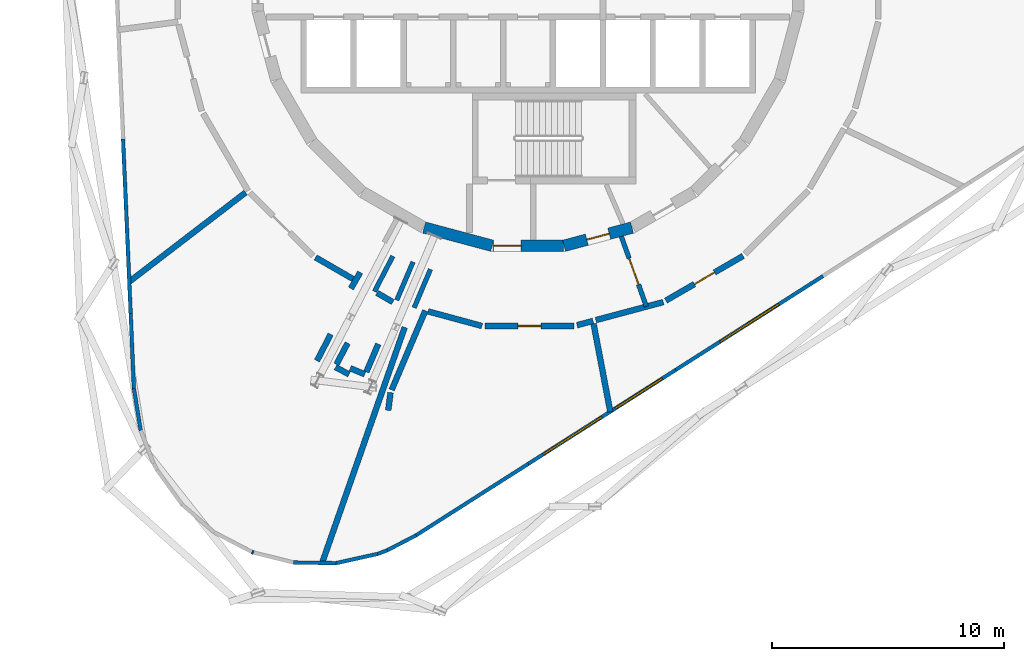
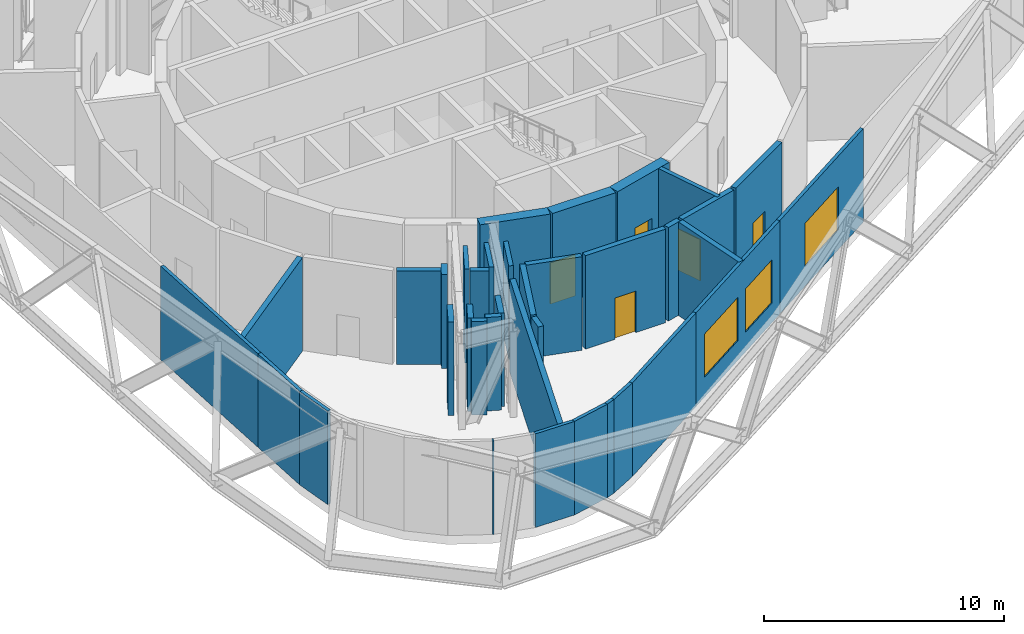
# One storey, part 5 of 12: 36 walls, 5 doors, 3 windows, 8 openings.
"""IFC4 building model written with IfcOpenShell, lengths in metres."""

import ifcopenshell
import ifcopenshell.guid

model = None  # the IFC model being written
_history = None  # IfcOwnerHistory: only IFC2X3 demands one
_inside = {}  # id of a spatial element -> (the spatial element, [elements in it])
_under = {}  # id of a project, library or spatial element -> (it, [spatial elements below it])
_declared = {}  # id of a project -> (the project, [libraries it declares])
_typed = {}  # id of a type object -> (the type object, [elements of that type])
_made_of = {}  # id of a material, layer set ... -> (it, [elements and type objects made of it])


def new_model(schema):
    """Start an empty IFC model of exactly this schema.

    Asked for "IFC4X3", IfcOpenShell would pick the latest addendum, in which some entities
    have other attributes; the version numbers below select the first issue.
    IFC2X3 requires an IfcOwnerHistory on every rooted entity: one is made here for all.
    """
    global model, _history
    if schema == "IFC4X3":
        model = ifcopenshell.file(schema_version=(4, 3, 0, 0))
    else:
        model = ifcopenshell.file(schema=schema)
    _inside.clear()
    _under.clear()
    _declared.clear()
    _typed.clear()
    _made_of.clear()
    _history = None
    if model.schema == "IFC2X3":
        org = make("IfcOrganization", Name="unknown")
        user = make(
            "IfcPersonAndOrganization",
            ThePerson=make("IfcPerson", FamilyName="unknown"),
            TheOrganization=org,
        )
        app = make(
            "IfcApplication",
            ApplicationDeveloper=org,
            Version="unknown",
            ApplicationFullName="unknown",
            ApplicationIdentifier="unknown",
        )
        _history = make(
            "IfcOwnerHistory",
            OwningUser=user,
            OwningApplication=app,
            ChangeAction="ADDED",
            CreationDate=0,
        )
    return model


def make(cls, **values):
    """One entity of the class cls with the attributes given. An attribute that is None is left unset."""
    return model.create_entity(
        cls, **{name: value for name, value in values.items() if value is not None}
    )


def rooted(cls, **values):
    """An entity with a GlobalId (a new one), such as an element, a storey or a relation."""
    return make(cls, GlobalId=ifcopenshell.guid.new(), OwnerHistory=_history, **values)


def si_unit(unit_type, name, prefix=None):
    """IfcSIUnit, for example si_unit("LENGTHUNIT", "METRE", prefix="MILLI")."""
    return make("IfcSIUnit", UnitType=unit_type, Prefix=prefix, Name=name)


def assignment(units):
    """IfcUnitAssignment: the units of a project."""
    return None if units is None else make("IfcUnitAssignment", Units=units)


def point(xyz):
    """IfcCartesianPoint."""
    return None if xyz is None else make("IfcCartesianPoint", Coordinates=xyz)


def direction(xyz):
    """IfcDirection."""
    return None if xyz is None else make("IfcDirection", DirectionRatios=xyz)


def frame(location, z_axis=None, x_axis=None):
    """IfcAxis2Placement3D, a coordinate frame: its origin and axes. An axis left out is left unset."""
    return make(
        "IfcAxis2Placement3D",
        Location=point(location),
        Axis=direction(z_axis),
        RefDirection=direction(x_axis),
    )


def frame_2d(location, x_axis=None):
    """IfcAxis2Placement2D, a coordinate frame in the plane: its origin and x axis."""
    return make(
        "IfcAxis2Placement2D", Location=point(location), RefDirection=direction(x_axis)
    )


def origin():
    """The frame at (0, 0, 0) with its axes left unset."""
    return frame((0.0, 0.0, 0.0))


def place(relative_to, where):
    """IfcLocalPlacement: puts the frame where relative to a parent placement (None: the world)."""
    return make(
        "IfcLocalPlacement", PlacementRelTo=relative_to, RelativePlacement=where
    )


def context(
    kind, dimensions, precision=None, world=None, true_north=None, identifier=None
):
    """IfcGeometricRepresentationContext, for example the 3D "Model" context."""
    return make(
        "IfcGeometricRepresentationContext",
        ContextIdentifier=identifier,
        ContextType=kind,
        CoordinateSpaceDimension=dimensions,
        Precision=precision,
        WorldCoordinateSystem=world,
        TrueNorth=true_north,
    )


def subcontext(parent, identifier, kind, view, scale=None):
    """IfcGeometricRepresentationSubContext, for example "Body" below "Model"."""
    return make(
        "IfcGeometricRepresentationSubContext",
        ContextIdentifier=identifier,
        ContextType=kind,
        ParentContext=parent,
        TargetScale=scale,
        TargetView=view,
    )


def project(units=None, contexts=None):
    """IfcProject with its units and contexts."""
    return rooted(
        "IfcProject",
        Name="project",
        RepresentationContexts=contexts,
        UnitsInContext=assignment(units),
    )


def spatial(cls, under=None, at=None, **own):
    """A site, building, storey or space (cls), placed at a placement, below another one or the project."""
    s = rooted(cls, ObjectPlacement=at, **own)
    if under is not None:
        _under.setdefault(under.id(), (under, []))[1].append(s)
    return s


def profile(cls, at=None, kind="AREA", **sizes):
    """A parametric profile (cls). Its sizes go by their IFC names, for example OverallWidth=200.0."""
    return make(cls, ProfileType=kind, Position=at, **sizes)


def rectangle(**sizes):
    """IfcRectangleProfileDef."""
    return profile("IfcRectangleProfileDef", **sizes)


def extrude(swept, where, along, depth):
    """IfcExtrudedAreaSolid: the profile swept, set in the frame where, extruded along a direction by depth."""
    return make(
        "IfcExtrudedAreaSolid",
        SweptArea=swept,
        Position=where,
        ExtrudedDirection=direction(along),
        Depth=depth,
    )


def shape(context_of_items, identifier, shape_type, items):
    """IfcShapeRepresentation: the items that make up one representation, for example the "Body"."""
    return make(
        "IfcShapeRepresentation",
        ContextOfItems=context_of_items,
        RepresentationIdentifier=identifier,
        RepresentationType=shape_type,
        Items=items,
    )


def material(Name=None, Category=None):
    """IfcMaterial."""
    return make("IfcMaterial", Name=Name, Category=Category)


def layer(
    of_material, thickness, ventilated=None, Name=None, Category=None, Priority=None
):
    """IfcMaterialLayer: one layer of a wall or slab, of a material (None: an air gap)."""
    return make(
        "IfcMaterialLayer",
        Material=of_material,
        LayerThickness=thickness,
        IsVentilated=ventilated,
        Name=Name,
        Category=Category,
        Priority=Priority,
    )


def layer_set(layers, Name=None):
    """IfcMaterialLayerSet."""
    return make("IfcMaterialLayerSet", MaterialLayers=layers, LayerSetName=Name)


def made_of(thing, what):
    """Note that an element or type object is made of a material, layer set ...; save() writes the relation."""
    if what is not None:
        _made_of.setdefault(what.id(), (what, []))[1].append(thing)
    return thing


def type_object(cls, material=None, **own):
    """A type object (cls), such as IfcWallType, which elements share."""
    return made_of(rooted(cls, **own), material)


def element(
    cls,
    number,
    at=None,
    inside=None,
    cuts=None,
    type_object=None,
    material=None,
    context=None,
    identifier="Body",
    shape_type=None,
    held_by="IfcProductDefinitionShape",
    body=None,
    shapes=None,
    **own,
):
    """One element of the class cls, such as IfcWall. Its Tag is "e" and its number.

    at: its placement. inside: the storey or other place that contains it. cuts: it is an
    opening in that element (IfcRelVoidsElement). A single representation is given by context,
    identifier, shape_type and body (its items); several are given by shapes. held_by: the class
    of the entity that holds the representations. save() writes the other relations.
    """
    e = rooted(cls, Tag="e%d" % number, ObjectPlacement=at, **own)
    if body is not None:
        shapes = [shape(context, identifier, shape_type, body)]
    if shapes is not None:
        e.Representation = make(held_by, Representations=shapes)
    if inside is not None:
        _inside.setdefault(inside.id(), (inside, []))[1].append(e)
    if cuts is not None:
        rooted(
            "IfcRelVoidsElement", RelatingBuildingElement=cuts, RelatedOpeningElement=e
        )
    if type_object is not None:
        _typed.setdefault(type_object.id(), (type_object, []))[1].append(e)
    return made_of(e, material)


def fill(opening, filler):
    """IfcRelFillsElement: the door or window that sits in an opening."""
    return rooted(
        "IfcRelFillsElement",
        RelatingOpeningElement=opening,
        RelatedBuildingElement=filler,
    )


def aggregate(whole, parts):
    """IfcRelAggregates: a whole, such as a stair, and the parts it consists of."""
    return rooted("IfcRelAggregates", RelatingObject=whole, RelatedObjects=parts)


def save(model, path):
    """Write the relations noted so far, then the file.

    IfcRelAggregates (storeys below a building ...), IfcRelContainedInSpatialStructure (elements
    in a storey), IfcRelDefinesByType, IfcRelAssociatesMaterial and IfcRelDeclares: one each for
    every whole, place, type object, material and project.
    """
    for whole, parts in _under.values():
        aggregate(whole, parts)
    for where, things in _inside.values():
        rooted(
            "IfcRelContainedInSpatialStructure",
            RelatedElements=things,
            RelatingStructure=where,
        )
    for kind, things in _typed.values():
        rooted("IfcRelDefinesByType", RelatedObjects=things, RelatingType=kind)
    for what, things in _made_of.values():
        rooted("IfcRelAssociatesMaterial", RelatedObjects=things, RelatingMaterial=what)
    for by, libraries in _declared.values():
        rooted("IfcRelDeclares", RelatingContext=by, RelatedDefinitions=libraries)
    model.write(path)


model = new_model("IFC4")

# Units and contexts
model_context = context("Model", 3, precision=1e-05, world=origin(), true_north=direction((0.0, 1.0)))
body_context = subcontext(model_context, "Body", "Model", "MODEL_VIEW")
ifc_project = project(units=[si_unit("LENGTHUNIT", "METRE"), si_unit("AREAUNIT", "SQUARE_METRE"), si_unit("VOLUMEUNIT", "CUBIC_METRE"), si_unit("PLANEANGLEUNIT", "RADIAN"), si_unit("MASSUNIT", "GRAM", prefix="KILO")], contexts=[model_context])

# Site, building, storey
site_placement = place(None, origin())
site = spatial("IfcSite", under=ifc_project, at=site_placement, CompositionType="ELEMENT")
building_placement = place(site_placement, origin())
building = spatial("IfcBuilding", under=site, at=building_placement, Name="Spindle Arch Residences", CompositionType="ELEMENT")
storey_placement = place(building_placement, frame((0.0, 0.0, 258.199951171875)))
storey = spatial("IfcBuildingStorey", under=building, at=storey_placement, Name="L66", CompositionType="ELEMENT", Elevation=258.199951171875)

# Wall, opening, door
ifc_material_1 = material(Name="Concrete C50/60", Category="concrete")
ifc_layer_1 = layer(ifc_material_1, 0.5)
ifc_layer_set_1 = layer_set([ifc_layer_1], Name="Core outline wall 500")
wall_type_1 = type_object("IfcWallType", Name="Core outline wall 500", PredefinedType="SHEAR", material=ifc_layer_set_1)
wall_1_placement = place(storey_placement, frame((1.5498046875, -11.642822265625, 0.0), z_axis=(0.0, 0.0, 1.0), x_axis=(0.965948410781, 0.258734743916, 0.0)))
wall_1 = element("IfcWall", 1, at=wall_1_placement, inside=storey, type_object=wall_type_1, Name="Core outline wall 1", PredefinedType="SHEAR", context=body_context, shape_type="SweptSolid", body=[
    extrude(rectangle(XDim=3.03271484375, YDim=0.5, at=frame_2d((1.516357421875, 0.0))), origin(), (0.0, 0.0, 1.0), 4.75),
])
opening_1_placement = place(wall_1_placement, frame((1.016357421875, 0.0, 0.0)))
opening_1 = element("IfcOpeningElement", 2, at=opening_1_placement, cuts=wall_1, Name="Opening L66-PD06", PredefinedType="OPENING", context=body_context, shape_type="SweptSolid", body=[
    extrude(rectangle(XDim=1.0, YDim=2.39990234375, at=frame_2d((0.5, 1.199951171875))), frame((0.0, 0.260009765625, 0.0), z_axis=(0.0, -1.0, 0.0), x_axis=(1.0, 0.0, 0.0)), (0.0, 0.0, 1.0), 0.52001953125),
])
ifc_material_2 = material(Name="Steel, fire-resisting door", Category="steel")
door_type_1 = type_object("IfcDoorType", Name="Plant room door 1000x2400", OperationType="SINGLE_SWING_LEFT", PredefinedType="DOOR", material=ifc_material_2)
door_1_placement = place(opening_1_placement, origin())
door_1 = element("IfcDoor", 3, at=door_1_placement, inside=storey, type_object=door_type_1, Name="Plant room door L66-PD06", OperationType="SINGLE_SWING_RIGHT", OverallHeight=2.39990234375, OverallWidth=1.0, PredefinedType="DOOR", context=body_context, shape_type="SweptSolid", body=[
    extrude(rectangle(XDim=1.0, YDim=2.39990234375, at=frame_2d((0.5, 1.199951171875))), frame((0.0, 0.02490234375, 0.0), z_axis=(0.0, -1.0, 0.0), x_axis=(1.0, 0.0, 0.0)), (0.0, 0.0, 1.0), 0.050048828125),
])
fill(opening_1, door_1)

# Wall
wall_2_placement = place(storey_placement, frame((-4.479248046875, -10.858154296875, 0.0), z_axis=(0.0, 0.0, 1.0), x_axis=(0.965948410781, -0.258734743916, 0.0)))
element("IfcWall", 4, at=wall_2_placement, inside=storey, type_object=wall_type_1, Name="Core outline wall 23", PredefinedType="SHEAR", context=body_context, shape_type="SweptSolid", body=[
    extrude(rectangle(XDim=3.03271484375, YDim=0.5, at=frame_2d((1.516357421875, 0.0))), origin(), (0.0, 0.0, 1.0), 4.75),
])

# Wall, opening, door
wall_3_placement = place(storey_placement, frame((-1.516357421875, -11.647216796875, 0.0), z_axis=(0.0, 0.0, 1.0), x_axis=(1.0, 0.0, 0.0)))
wall_3 = element("IfcWall", 5, at=wall_3_placement, inside=storey, type_object=wall_type_1, Name="Core outline wall 24", PredefinedType="SHEAR", context=body_context, shape_type="SweptSolid", body=[
    extrude(rectangle(XDim=3.03271484375, YDim=0.5, at=frame_2d((1.516357421875, 0.0))), origin(), (0.0, 0.0, 1.0), 4.75),
])
opening_2_placement = place(wall_3_placement, frame((0.016357421875, 0.0, 0.0)))
opening_2 = element("IfcOpeningElement", 6, at=opening_2_placement, cuts=wall_3, Name="Opening L66-AD03", PredefinedType="OPENING", context=body_context, shape_type="SweptSolid", body=[
    extrude(rectangle(XDim=1.199951171875, YDim=2.10009765625, at=frame_2d((0.60009765625, 1.050048828125))), frame((0.0, 0.260009765625, 0.0), z_axis=(0.0, -1.0, 0.0), x_axis=(1.0, 0.0, 0.0)), (0.0, 0.0, 1.0), 0.52001953125),
])
ifc_material_3 = material(Name="Steel, fire-resisting door", Category="steel")
door_type_2 = type_object("IfcDoorType", Name="Stair airlock door 1200x2100", OperationType="SINGLE_SWING_LEFT", PredefinedType="DOOR", material=ifc_material_3)
door_2_placement = place(opening_2_placement, origin())
door_2 = element("IfcDoor", 7, at=door_2_placement, inside=storey, type_object=door_type_2, Name="Stair airlock door L66-AD03", OperationType="SINGLE_SWING_RIGHT", OverallHeight=2.10009765625, OverallWidth=1.199951171875, PredefinedType="DOOR", context=body_context, shape_type="SweptSolid", body=[
    extrude(rectangle(XDim=1.199951171875, YDim=2.10009765625, at=frame_2d((0.60009765625, 1.050048828125))), frame((0.0, 0.02490234375, 0.0), z_axis=(0.0, -1.0, 0.0), x_axis=(1.0, 0.0, 0.0)), (0.0, 0.0, 1.0), 0.050048828125),
])
fill(opening_2, door_2)

# Walls
ifc_material_4 = material(Name="Non-combustible mineral wool insulated aluminium faced external wall (K0)", Category="aluminium")
ifc_layer_2 = layer(ifc_material_4, 0.159912109375)
ifc_layer_set_2 = layer_set([ifc_layer_2], Name="Insulated external wall panel 160")
wall_type_2 = type_object("IfcWallType", Name="Insulated external wall panel 160", PredefinedType="STANDARD", material=ifc_layer_set_2)
wall_4_placement = place(storey_placement, frame((-17.463623046875, -7.04345703125, 0.0), z_axis=(0.0, 0.0, 1.0), x_axis=(0.043607469261, -0.999048741866, 0.0)))
element("IfcWall", 8, at=wall_4_placement, inside=storey, type_object=wall_type_2, Name="Plant wall L66 bay 16", PredefinedType="STANDARD", context=body_context, shape_type="SweptSolid", body=[
    extrude(rectangle(XDim=7.530029296875, YDim=0.159912109375, at=frame_2d((3.76513671875, 0.0))), origin(), (0.0, 0.0, 1.0), 4.75),
])
wall_5_placement = place(storey_placement, frame((-17.13525390625, -14.56640625, 0.0), z_axis=(0.0, 0.0, 1.0), x_axis=(0.043601186165, -0.999049016097, 0.0)))
element("IfcWall", 9, at=wall_5_placement, inside=storey, type_object=wall_type_2, Name="Plant wall L66 bay 17.1", PredefinedType="STANDARD", context=body_context, shape_type="SweptSolid", body=[
    extrude(rectangle(XDim=3.23095703125, YDim=0.159912109375, at=frame_2d((1.615478515625, 0.0))), origin(), (0.0, 0.0, 1.0), 4.75),
])
wall_6_placement = place(storey_placement, frame((-16.994873046875, -17.78955078125, 0.0), z_axis=(0.0, 0.0, 1.0), x_axis=(0.159398794206, -0.987214274819, 0.0)))
element("IfcWall", 10, at=wall_6_placement, inside=storey, type_object=wall_type_2, Name="Plant wall L66 bay 17.2", PredefinedType="STANDARD", context=body_context, shape_type="SweptSolid", body=[
    extrude(rectangle(XDim=1.845703125, YDim=0.159912109375, at=frame_2d((0.9228515625, 0.0))), origin(), (0.0, 0.0, 1.0), 4.75),
])
wall_7_placement = place(storey_placement, frame((-11.90087890625, -24.84765625, 0.0), z_axis=(0.0, 0.0, 1.0), x_axis=(0.935554876833, -0.353181359126, 0.0)))
element("IfcWall", 11, at=wall_7_placement, inside=storey, type_object=wall_type_2, Name="Plant wall L66 bay 18.5", PredefinedType="STANDARD", context=body_context, shape_type="SweptSolid", body=[
    extrude(rectangle(XDim=0.06494140625, YDim=0.159912109375, at=frame_2d((0.032470703125, 0.0))), origin(), (0.0, 0.0, 1.0), 4.75),
])
wall_8_placement = place(storey_placement, frame((-10.120361328125, -25.298583984375, 0.0), z_axis=(0.0, 0.0, 1.0), x_axis=(0.999894413213, -0.014531428914, 0.0)))
element("IfcWall", 12, at=wall_8_placement, inside=storey, type_object=wall_type_2, Name="Plant wall L66 bay 19.2", PredefinedType="STANDARD", context=body_context, shape_type="SweptSolid", body=[
    extrude(rectangle(XDim=1.84814453125, YDim=0.159912109375, at=frame_2d((0.924072265625, 0.0))), origin(), (0.0, 0.0, 1.0), 4.75),
])
wall_9_placement = place(storey_placement, frame((-8.281494140625, -25.326416015625, 0.0), z_axis=(0.0, 0.0, 1.0), x_axis=(0.976289627281, 0.216468389524, 0.0)))
element("IfcWall", 13, at=wall_9_placement, inside=storey, type_object=wall_type_2, Name="Plant wall L66 bay 19.3", PredefinedType="STANDARD", context=body_context, shape_type="SweptSolid", body=[
    extrude(rectangle(XDim=1.84619140625, YDim=0.159912109375, at=frame_2d((0.923095703125, 0.0))), origin(), (0.0, 0.0, 1.0), 4.75),
])
wall_10_placement = place(storey_placement, frame((-6.484375, -24.92822265625, 0.0), z_axis=(0.0, 0.0, 1.0), x_axis=(0.93530111793, 0.353852820815, 0.0)))
element("IfcWall", 14, at=wall_10_placement, inside=storey, type_object=wall_type_2, Name="Plant wall L66 bay 19.4", PredefinedType="STANDARD", context=body_context, shape_type="SweptSolid", body=[
    extrude(rectangle(XDim=0.44091796875, YDim=0.159912109375, at=frame_2d((0.220458984375, 0.0))), origin(), (0.0, 0.0, 1.0), 4.75),
])
wall_11_placement = place(storey_placement, frame((-6.072021484375, -24.772216796875, 0.0), z_axis=(0.0, 0.0, 1.0), x_axis=(0.887654565079, 0.460509905533, 0.0)))
element("IfcWall", 15, at=wall_11_placement, inside=storey, type_object=wall_type_2, Name="Plant wall L66 bay 20.1", PredefinedType="STANDARD", context=body_context, shape_type="SweptSolid", body=[
    extrude(rectangle(XDim=1.40478515625, YDim=0.159912109375, at=frame_2d((0.702392578125, 0.0))), origin(), (0.0, 0.0, 1.0), 4.75),
])
wall_12_placement = place(storey_placement, frame((-4.828125, -24.126953125, 0.0), z_axis=(0.0, 0.0, 1.0), x_axis=(0.843393436183, 0.537296484079, 0.0)))
element("IfcWall", 16, at=wall_12_placement, inside=storey, type_object=wall_type_2, Name="Plant wall L66 bay 20.2", PredefinedType="STANDARD", context=body_context, shape_type="SweptSolid", body=[
    extrude(rectangle(XDim=5.740234375, YDim=0.159912109375, at=frame_2d((2.8701171875, 0.0))), origin(), (0.0, 0.0, 1.0), 4.75),
])

# Wall, openings, windows
wall_13_placement = place(storey_placement, frame((0.01318359375, -21.042724609375, 0.0), z_axis=(0.0, 0.0, 1.0), x_axis=(0.843393042763, 0.537297101629, 0.0)))
wall_13 = element("IfcWall", 17, at=wall_13_placement, inside=storey, type_object=wall_type_2, Name="Plant wall L66 bay 21", PredefinedType="STANDARD", context=body_context, shape_type="SweptSolid", body=[
    extrude(rectangle(XDim=7.530029296875, YDim=0.159912109375, at=frame_2d((3.76513671875, 0.0))), origin(), (0.0, 0.0, 1.0), 4.75),
])
opening_3_placement = place(wall_13_placement, frame((0.754638671875, 0.0, 1.0)))
opening_3 = element("IfcOpeningElement", 18, at=opening_3_placement, cuts=wall_13, Name="Opening LW1", PredefinedType="OPENING", context=body_context, shape_type="SweptSolid", body=[
    extrude(rectangle(XDim=3.0, YDim=2.199951171875, at=frame_2d((1.5, 1.10009765625))), frame((0.0, 0.08984375, 0.0), z_axis=(0.0, -1.0, 0.0), x_axis=(1.0, 0.0, 0.0)), (0.0, 0.0, 1.0), 0.179931640625),
])
opening_4_placement = place(wall_13_placement, frame((4.444580078125, 0.0, 1.0)))
opening_4 = element("IfcOpeningElement", 19, at=opening_4_placement, cuts=wall_13, Name="Opening LW2", PredefinedType="OPENING", context=body_context, shape_type="SweptSolid", body=[
    extrude(rectangle(XDim=2.39990234375, YDim=2.199951171875, at=frame_2d((1.199951171875, 1.10009765625))), frame((0.0, 0.08984375, 0.0), z_axis=(0.0, -1.0, 0.0), x_axis=(1.0, 0.0, 0.0)), (0.0, 0.0, 1.0), 0.179931640625),
])
ifc_material_5 = material(Name="Bronze anodised aluminium fixed louvre", Category="aluminium")
window_type_1 = type_object("IfcWindowType", Name="Plant louvre opening 2400x2200", PartitioningType="SINGLE_PANEL", PredefinedType="WINDOW", material=ifc_material_5)
window_1_placement = place(opening_4_placement, origin())
window_1 = element("IfcWindow", 20, at=window_1_placement, inside=storey, type_object=window_type_1, Name="Louvre opening L66 bay 21.2", OverallHeight=2.199951171875, OverallWidth=2.39990234375, PartitioningType="SINGLE_PANEL", PredefinedType="WINDOW", context=body_context, shape_type="SweptSolid", body=[
    extrude(rectangle(XDim=2.39990234375, YDim=2.199951171875, at=frame_2d((1.199951171875, 1.10009765625))), frame((0.0, 0.030029296875, 0.0), z_axis=(0.0, -1.0, 0.0), x_axis=(1.0, 0.0, 0.0)), (0.0, 0.0, 1.0), 0.06005859375),
])
fill(opening_4, window_1)
ifc_material_6 = material(Name="Bronze anodised aluminium fixed louvre", Category="aluminium")
window_type_2 = type_object("IfcWindowType", Name="Plant louvre opening 3000x2200", PartitioningType="SINGLE_PANEL", PredefinedType="WINDOW", material=ifc_material_6)
window_2_placement = place(opening_3_placement, origin())
window_2 = element("IfcWindow", 21, at=window_2_placement, inside=storey, type_object=window_type_2, Name="Louvre opening L66 bay 21.1", OverallHeight=2.199951171875, OverallWidth=3.0, PartitioningType="SINGLE_PANEL", PredefinedType="WINDOW", context=body_context, shape_type="SweptSolid", body=[
    extrude(rectangle(XDim=3.0, YDim=2.199951171875, at=frame_2d((1.5, 1.10009765625))), frame((0.0, 0.030029296875, 0.0), z_axis=(0.0, -1.0, 0.0), x_axis=(1.0, 0.0, 0.0)), (0.0, 0.0, 1.0), 0.06005859375),
])
fill(opening_3, window_2)

# Wall, opening, window
wall_14_placement = place(storey_placement, frame((6.364013671875, -16.996826171875, 0.0), z_axis=(0.0, 0.0, 1.0), x_axis=(0.843393042763, 0.537297101629, 0.0)))
wall_14 = element("IfcWall", 22, at=wall_14_placement, inside=storey, type_object=wall_type_2, Name="Plant wall L66 bay 22", PredefinedType="STANDARD", context=body_context, shape_type="SweptSolid", body=[
    extrude(rectangle(XDim=7.530029296875, YDim=0.159912109375, at=frame_2d((3.76513671875, 0.0))), origin(), (0.0, 0.0, 1.0), 4.75),
])
opening_5_placement = place(wall_14_placement, frame((2.264892578125, 0.0, 1.0)))
opening_5 = element("IfcOpeningElement", 23, at=opening_5_placement, cuts=wall_14, Name="Opening LW1", PredefinedType="OPENING", context=body_context, shape_type="SweptSolid", body=[
    extrude(rectangle(XDim=3.0, YDim=2.199951171875, at=frame_2d((1.5, 1.10009765625))), frame((0.0, 0.08984375, 0.0), z_axis=(0.0, -1.0, 0.0), x_axis=(1.0, 0.0, 0.0)), (0.0, 0.0, 1.0), 0.179931640625),
])
window_3_placement = place(opening_5_placement, origin())
window_3 = element("IfcWindow", 24, at=window_3_placement, inside=storey, type_object=window_type_2, Name="Louvre opening L66 bay 22.1", OverallHeight=2.199951171875, OverallWidth=3.0, PartitioningType="SINGLE_PANEL", PredefinedType="WINDOW", context=body_context, shape_type="SweptSolid", body=[
    extrude(rectangle(XDim=3.0, YDim=2.199951171875, at=frame_2d((1.5, 1.10009765625))), frame((0.0, 0.030029296875, 0.0), z_axis=(0.0, -1.0, 0.0), x_axis=(1.0, 0.0, 0.0)), (0.0, 0.0, 1.0), 0.06005859375),
])
fill(opening_5, window_3)

# Walls
ifc_material_7 = material(Name="Concrete C25/30 wall", Category="concrete")
ifc_layer_3 = layer(ifc_material_7, 0.25)
ifc_layer_set_3 = layer_set([ifc_layer_3], Name="Partition EI 120 250 plant")
wall_type_3 = type_object("IfcWallType", Name="Partition EI 120 250 plant", PredefinedType="PARTITIONING", material=ifc_layer_set_3)
wall_15_placement = place(storey_placement, frame((-12.17919921875, -9.345947265625, 0.0), z_axis=(0.0, 0.0, 1.0), x_axis=(-0.793517039505, -0.608548032628, 0.0)))
element("IfcWall", 25, at=wall_15_placement, inside=storey, type_object=wall_type_3, Name="L66-W010", PredefinedType="PARTITIONING", context=body_context, shape_type="SweptSolid", body=[
    extrude(rectangle(XDim=6.33544921875, YDim=0.25, at=frame_2d((3.167724609375, 0.0))), origin(), (0.0, 0.0, 1.0), 4.75),
])
wall_16_placement = place(storey_placement, frame((-9.161865234375, -12.142578125, 0.0), z_axis=(0.0, 0.0, 1.0), x_axis=(0.866067878235, -0.499926424876, 0.0)))
element("IfcWall", 26, at=wall_16_placement, inside=storey, type_object=wall_type_3, Name="L66-W019", PredefinedType="PARTITIONING", context=body_context, shape_type="SweptSolid", body=[
    extrude(rectangle(XDim=1.864990234375, YDim=0.25, at=frame_2d((0.9326171875, 0.0))), origin(), (0.0, 0.0, 1.0), 4.75),
])
wall_17_placement = place(storey_placement, frame((-8.510009765625, -15.4599609375, 0.0), z_axis=(0.0, 0.0, 1.0), x_axis=(-0.461191515673, -0.887300617531, 0.0)))
element("IfcWall", 27, at=wall_17_placement, inside=storey, type_object=wall_type_3, Name="L66-W022", PredefinedType="PARTITIONING", context=body_context, shape_type="SweptSolid", body=[
    extrude(rectangle(XDim=1.287353515625, YDim=0.25, at=frame_2d((0.6435546875, 0.0))), origin(), (0.0, 0.0, 1.0), 4.75),
])
wall_18_placement = place(storey_placement, frame((-8.262939453125, -16.75537109375, 0.0), z_axis=(0.0, 0.0, 1.0), x_axis=(0.466640728882, 0.884446962881, 0.0)))
element("IfcWall", 28, at=wall_18_placement, inside=storey, type_object=wall_type_3, Name="L66-W023", PredefinedType="PARTITIONING", context=body_context, shape_type="SweptSolid", body=[
    extrude(rectangle(XDim=1.034912109375, YDim=0.25, at=frame_2d((0.517578125, 0.0))), origin(), (0.0, 0.0, 1.0), 4.75),
])
wall_19_placement = place(storey_placement, frame((-6.511962890625, -13.6728515625, 0.0), z_axis=(0.0, 0.0, 1.0), x_axis=(0.864081706907, -0.503351570762, 0.0)))
element("IfcWall", 29, at=wall_19_placement, inside=storey, type_object=wall_type_3, Name="L66-W027", PredefinedType="PARTITIONING", context=body_context, shape_type="SweptSolid", body=[
    extrude(rectangle(XDim=0.7890625, YDim=0.25, at=frame_2d((0.39453125, 0.0))), origin(), (0.0, 0.0, 1.0), 4.75),
])
wall_20_placement = place(storey_placement, frame((-6.4599609375, -15.8798828125, 0.0), z_axis=(0.0, 0.0, 1.0), x_axis=(-0.39236059396, -0.919811483027, 0.0)))
element("IfcWall", 30, at=wall_20_placement, inside=storey, type_object=wall_type_3, Name="L66-W029", PredefinedType="PARTITIONING", context=body_context, shape_type="SweptSolid", body=[
    extrude(rectangle(XDim=1.304931640625, YDim=0.25, at=frame_2d((0.65234375, 0.0))), origin(), (0.0, 0.0, 1.0), 4.75),
])
wall_21_placement = place(storey_placement, frame((2.920654296875, -14.84765625, 0.0), z_axis=(0.0, 0.0, 1.0), x_axis=(0.966090816863, 0.258202504969, 0.0)))
element("IfcWall", 31, at=wall_21_placement, inside=storey, type_object=wall_type_3, Name="L66-W046", PredefinedType="PARTITIONING", context=body_context, shape_type="SweptSolid", body=[
    extrude(rectangle(XDim=3.011474609375, YDim=0.25, at=frame_2d((1.505859375, 0.0))), origin(), (0.0, 0.0, 1.0), 4.75),
])

# Wall, opening, door
wall_22_placement = place(storey_placement, frame((5.938232421875, -14.00732421875, 0.0), z_axis=(0.0, 0.0, 1.0), x_axis=(0.865615852585, 0.500708693508, 0.0)))
wall_22 = element("IfcWall", 32, at=wall_22_placement, inside=storey, type_object=wall_type_3, Name="L66-W049", PredefinedType="PARTITIONING", context=body_context, shape_type="SweptSolid", body=[
    extrude(rectangle(XDim=3.84912109375, YDim=0.25, at=frame_2d((1.924560546875, 0.0))), origin(), (0.0, 0.0, 1.0), 4.75),
])
opening_6_placement = place(wall_22_placement, frame((1.424560546875, 0.0, 0.0)))
opening_6 = element("IfcOpeningElement", 33, at=opening_6_placement, cuts=wall_22, Name="Opening L66-D03", PredefinedType="OPENING", context=body_context, shape_type="SweptSolid", body=[
    extrude(rectangle(XDim=1.0, YDim=2.10009765625, at=frame_2d((0.5, 1.050048828125))), frame((0.0, 0.135009765625, 0.0), z_axis=(0.0, -1.0, 0.0), x_axis=(1.0, 0.0, 0.0)), (0.0, 0.0, 1.0), 0.27001953125),
])
ifc_material_8 = material(Name="Steel door leaf, painted", Category="steel")
door_type_3 = type_object("IfcDoorType", Name="Door 1000x2100 EI 60", OperationType="SINGLE_SWING_LEFT", PredefinedType="DOOR", material=ifc_material_8)
door_3_placement = place(opening_6_placement, origin())
door_3 = element("IfcDoor", 34, at=door_3_placement, inside=storey, type_object=door_type_3, Name="L66-D03", OperationType="SINGLE_SWING_LEFT", OverallHeight=2.10009765625, OverallWidth=1.0, PredefinedType="DOOR", context=body_context, shape_type="SweptSolid", body=[
    extrude(rectangle(XDim=1.0, YDim=2.10009765625, at=frame_2d((0.5, 1.050048828125))), frame((0.0, 0.02490234375, 0.0), z_axis=(0.0, -1.0, 0.0), x_axis=(1.0, 0.0, 0.0)), (0.0, 0.0, 1.0), 0.050048828125),
])
fill(opening_6, door_3)

# Walls
wall_23_placement = place(storey_placement, frame((-7.63818359375, -13.48388671875, 0.0), z_axis=(0.0, 0.0, 1.0), x_axis=(0.499880961361, 0.866094119867, 0.0)))
element("IfcWall", 35, at=wall_23_placement, inside=storey, type_object=wall_type_3, Name="L66-W072", PredefinedType="PARTITIONING", context=body_context, shape_type="SweptSolid", body=[
    extrude(rectangle(XDim=0.800048828125, YDim=0.25, at=frame_2d((0.39990234375, 0.0))), origin(), (0.0, 0.0, 1.0), 4.75),
])
wall_24_placement = place(storey_placement, frame((-8.30078125, -16.876953125, 0.0), z_axis=(0.0, 0.0, 1.0), x_axis=(0.884571883789, -0.466403883357, 0.0)))
element("IfcWall", 36, at=wall_24_placement, inside=storey, type_object=wall_type_3, Name="L66-W073", PredefinedType="PARTITIONING", context=body_context, shape_type="SweptSolid", body=[
    extrude(rectangle(XDim=0.657958984375, YDim=0.25, at=frame_2d((0.3291015625, 0.0))), origin(), (0.0, 0.0, 1.0), 4.75),
])
wall_25_placement = place(storey_placement, frame((-7.664794921875, -16.92041015625, 0.0), z_axis=(0.0, 0.0, 1.0), x_axis=(0.919833690765, -0.392308528245, 0.0)))
element("IfcWall", 37, at=wall_25_placement, inside=storey, type_object=wall_type_3, Name="L66-W075", PredefinedType="PARTITIONING", context=body_context, shape_type="SweptSolid", body=[
    extrude(rectangle(XDim=0.677001953125, YDim=0.25, at=frame_2d((0.33837890625, 0.0))), origin(), (0.0, 0.0, 1.0), 4.75),
])
ifc_material_9 = material(Name="Gypsum board partition on steel studs", Category="steel")
ifc_layer_4 = layer(ifc_material_9, 0.199951171875)
ifc_layer_set_4 = layer_set([ifc_layer_4], Name="Partition EI 60 200 amenity")
wall_type_4 = type_object("IfcWallType", Name="Partition EI 60 200 amenity", PredefinedType="PARTITIONING", material=ifc_layer_set_4)
wall_26_placement = place(storey_placement, frame((-6.6201171875, -13.610107421875, 0.0), z_axis=(0.0, 0.0, 1.0), x_axis=(0.461182211336, 0.887305453577, 0.0)))
element("IfcWall", 38, at=wall_26_placement, inside=storey, type_object=wall_type_4, Name="L66-W028", PredefinedType="PARTITIONING", context=body_context, shape_type="SweptSolid", body=[
    extrude(rectangle(XDim=1.713134765625, YDim=0.199951171875, at=frame_2d((0.8564453125, 0.0))), origin(), (0.0, 0.0, 1.0), 4.75),
])
wall_27_placement = place(storey_placement, frame((-4.9599609375, -12.340087890625, 0.0), z_axis=(0.0, 0.0, 1.0), x_axis=(-0.391990471088, -0.919969276974, 0.0)))
element("IfcWall", 39, at=wall_27_placement, inside=storey, type_object=wall_type_4, Name="L66-W036", PredefinedType="PARTITIONING", context=body_context, shape_type="SweptSolid", body=[
    extrude(rectangle(XDim=1.7880859375, YDim=0.199951171875, at=frame_2d((0.89404296875, 0.0))), origin(), (0.0, 0.0, 1.0), 4.75),
])
wall_28_placement = place(storey_placement, frame((-4.909912109375, -14.31005859375, 0.0), z_axis=(0.0, 0.0, 1.0), x_axis=(0.390497378465, 0.920604039429, 0.0)))
element("IfcWall", 40, at=wall_28_placement, inside=storey, type_object=wall_type_4, Name="L66-W037", PredefinedType="PARTITIONING", context=body_context, shape_type="SweptSolid", body=[
    extrude(rectangle(XDim=1.79248046875, YDim=0.199951171875, at=frame_2d((0.896240234375, 0.0))), origin(), (0.0, 0.0, 1.0), 4.75),
])

# Wall, opening, door
wall_29_placement = place(storey_placement, frame((4.02001953125, -11.239990234375, 0.0), z_axis=(0.0, 0.0, 1.0), x_axis=(0.336751058688, -0.941593715183, 0.0)))
wall_29 = element("IfcWall", 41, at=wall_29_placement, inside=storey, type_object=wall_type_4, Name="L66-W047", PredefinedType="PARTITIONING", context=body_context, shape_type="SweptSolid", body=[
    extrude(rectangle(XDim=3.207275390625, YDim=0.199951171875, at=frame_2d((1.603515625, 0.0))), origin(), (0.0, 0.0, 1.0), 4.75),
])
opening_7_placement = place(wall_29_placement, frame((1.003662109375, 0.0, 0.0)))
opening_7 = element("IfcOpeningElement", 42, at=opening_7_placement, cuts=wall_29, Name="Opening L66-D11", PredefinedType="OPENING", context=body_context, shape_type="SweptSolid", body=[
    extrude(rectangle(XDim=1.199951171875, YDim=2.10009765625, at=frame_2d((0.60009765625, 1.050048828125))), frame((0.0, 0.10986328125, 0.0), z_axis=(0.0, -1.0, 0.0), x_axis=(1.0, 0.0, 0.0)), (0.0, 0.0, 1.0), 0.219970703125),
])
ifc_material_10 = material(Name="Steel door leaf, painted", Category="steel")
door_type_4 = type_object("IfcDoorType", Name="Door 1200x2100 EI 60", OperationType="SINGLE_SWING_LEFT", PredefinedType="DOOR", material=ifc_material_10)
door_4_placement = place(opening_7_placement, origin())
door_4 = element("IfcDoor", 43, at=door_4_placement, inside=storey, type_object=door_type_4, Name="L66-D11", OperationType="SINGLE_SWING_LEFT", OverallHeight=2.10009765625, OverallWidth=1.199951171875, PredefinedType="DOOR", context=body_context, shape_type="SweptSolid", body=[
    extrude(rectangle(XDim=1.199951171875, YDim=2.10009765625, at=frame_2d((0.60009765625, 1.050048828125))), frame((0.0, 0.02490234375, 0.0), z_axis=(0.0, -1.0, 0.0), x_axis=(1.0, 0.0, 0.0)), (0.0, 0.0, 1.0), 0.050048828125),
])
fill(opening_7, door_4)

# Walls
ifc_material_11 = material(Name="Concrete C25/30 wall", Category="concrete")
ifc_layer_5 = layer(ifc_material_11, 0.25)
ifc_layer_set_5 = layer_set([ifc_layer_5], Name="Partition REI 120 250 refuge")
wall_type_5 = type_object("IfcWallType", Name="Partition REI 120 250 refuge", PredefinedType="PARTITIONING", material=ifc_layer_set_5)
wall_30_placement = place(storey_placement, frame((-6.030029296875, -18.739990234375, 0.0), z_axis=(0.0, 0.0, 1.0), x_axis=(0.128909046511, 0.99165642121, 0.0)))
element("IfcWall", 44, at=wall_30_placement, inside=storey, type_object=wall_type_5, Name="L66-W033", PredefinedType="PARTITIONING", context=body_context, shape_type="SweptSolid", body=[
    extrude(rectangle(XDim=0.776611328125, YDim=0.25, at=frame_2d((0.38818359375, 0.0))), origin(), (0.0, 0.0, 1.0), 4.75),
])
wall_31_placement = place(storey_placement, frame((-5.881103515625, -17.85498046875, 0.0), z_axis=(0.0, 0.0, 1.0), x_axis=(0.391090483061, 0.920352233691, 0.0)))
element("IfcWall", 45, at=wall_31_placement, inside=storey, type_object=wall_type_5, Name="L66-W034", PredefinedType="PARTITIONING", context=body_context, shape_type="SweptSolid", body=[
    extrude(rectangle(XDim=3.710693359375, YDim=0.25, at=frame_2d((1.85546875, 0.0))), origin(), (0.0, 0.0, 1.0), 4.75),
])
wall_32_placement = place(storey_placement, frame((-5.320068359375, -15.159912109375, 0.0), z_axis=(0.0, 0.0, 1.0), x_axis=(-0.330837024338, -0.94368790568, 0.0)))
element("IfcWall", 46, at=wall_32_placement, inside=storey, type_object=wall_type_5, Name="L66-W035", PredefinedType="PARTITIONING", context=body_context, shape_type="SweptSolid", body=[
    extrude(rectangle(XDim=10.77099609375, YDim=0.25, at=frame_2d((5.385498046875, 0.0))), origin(), (0.0, 0.0, 1.0), 4.75),
])
wall_33_placement = place(storey_placement, frame((-4.309326171875, -14.47265625, 0.0), z_axis=(0.0, 0.0, 1.0), x_axis=(0.965301112602, -0.26113935362, 0.0)))
element("IfcWall", 47, at=wall_33_placement, inside=storey, type_object=wall_type_5, Name="L66-W038", PredefinedType="PARTITIONING", context=body_context, shape_type="SweptSolid", body=[
    extrude(rectangle(XDim=2.402587890625, YDim=0.25, at=frame_2d((1.201171875, 0.0))), origin(), (0.0, 0.0, 1.0), 4.75),
])

# Wall, opening, door
wall_34_placement = place(storey_placement, frame((-1.864990234375, -15.10009765625, 0.0), z_axis=(0.0, 0.0, 1.0), x_axis=(1.0, 0.0, 0.0)))
wall_34 = element("IfcWall", 48, at=wall_34_placement, inside=storey, type_object=wall_type_5, Name="L66-W039", PredefinedType="PARTITIONING", context=body_context, shape_type="SweptSolid", body=[
    extrude(rectangle(XDim=3.85498046875, YDim=0.25, at=frame_2d((1.927490234375, 0.0))), origin(), (0.0, 0.0, 1.0), 4.75),
])
opening_8_placement = place(wall_34_placement, frame((1.427490234375, 0.0, 0.0)))
opening_8 = element("IfcOpeningElement", 49, at=opening_8_placement, cuts=wall_34, Name="Opening L66-D01", PredefinedType="OPENING", context=body_context, shape_type="SweptSolid", body=[
    extrude(rectangle(XDim=1.0, YDim=2.10009765625, at=frame_2d((0.5, 1.050048828125))), frame((0.0, 0.135009765625, 0.0), z_axis=(0.0, -1.0, 0.0), x_axis=(1.0, 0.0, 0.0)), (0.0, 0.0, 1.0), 0.27001953125),
])
door_5_placement = place(opening_8_placement, origin())
door_5 = element("IfcDoor", 50, at=door_5_placement, inside=storey, type_object=door_type_3, Name="L66-D01", OperationType="SINGLE_SWING_LEFT", OverallHeight=2.10009765625, OverallWidth=1.0, PredefinedType="DOOR", context=body_context, shape_type="SweptSolid", body=[
    extrude(rectangle(XDim=1.0, YDim=2.10009765625, at=frame_2d((0.5, 1.050048828125))), frame((0.0, 0.02490234375, 0.0), z_axis=(0.0, -1.0, 0.0), x_axis=(1.0, 0.0, 0.0)), (0.0, 0.0, 1.0), 0.050048828125),
])
fill(opening_8, door_5)

# Walls
wall_35_placement = place(storey_placement, frame((2.110595703125, -15.067138671875, 0.0), z_axis=(0.0, 0.0, 1.0), x_axis=(0.965039301335, 0.262105221007, 0.0)))
element("IfcWall", 51, at=wall_35_placement, inside=storey, type_object=wall_type_5, Name="L66-W043", PredefinedType="PARTITIONING", context=body_context, shape_type="SweptSolid", body=[
    extrude(rectangle(XDim=0.71435546875, YDim=0.25, at=frame_2d((0.357177734375, 0.0))), origin(), (0.0, 0.0, 1.0), 4.75),
])
wall_36_placement = place(storey_placement, frame((2.8232421875, -15.002685546875, 0.0), z_axis=(0.0, 0.0, 1.0), x_axis=(0.18669720821, -0.982417504143, 0.0)))
element("IfcWall", 52, at=wall_36_placement, inside=storey, type_object=wall_type_5, Name="L66-W045", PredefinedType="PARTITIONING", context=body_context, shape_type="SweptSolid", body=[
    extrude(rectangle(XDim=3.86669921875, YDim=0.25, at=frame_2d((1.933349609375, 0.0))), origin(), (0.0, 0.0, 1.0), 4.75),
])

save(model, "model.ifc")
